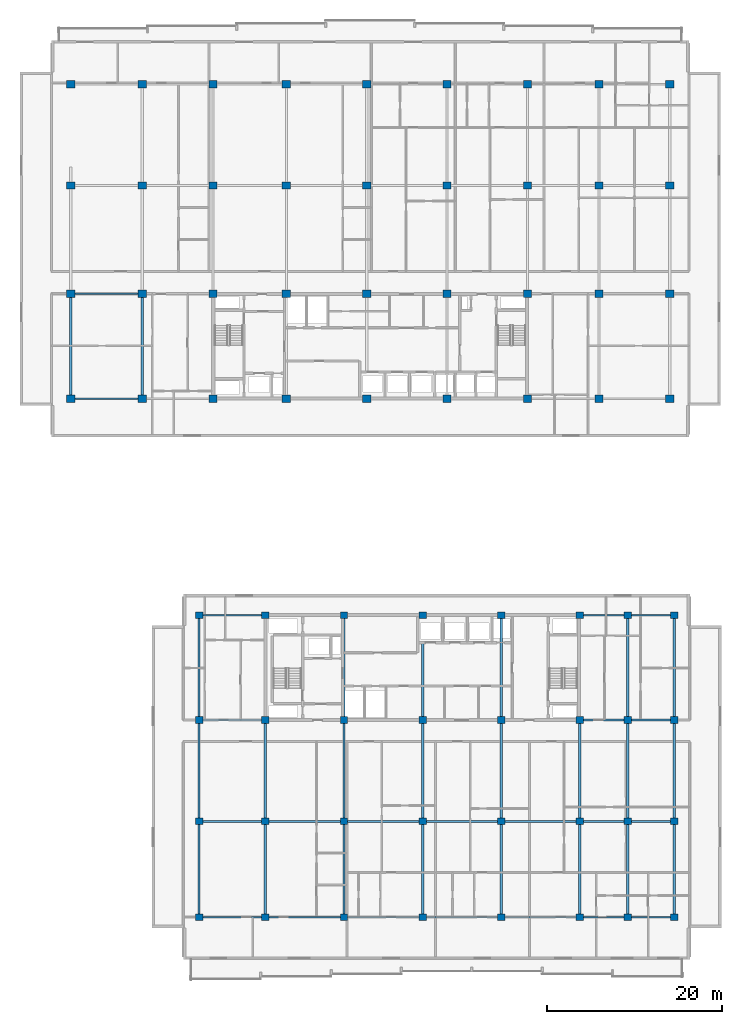
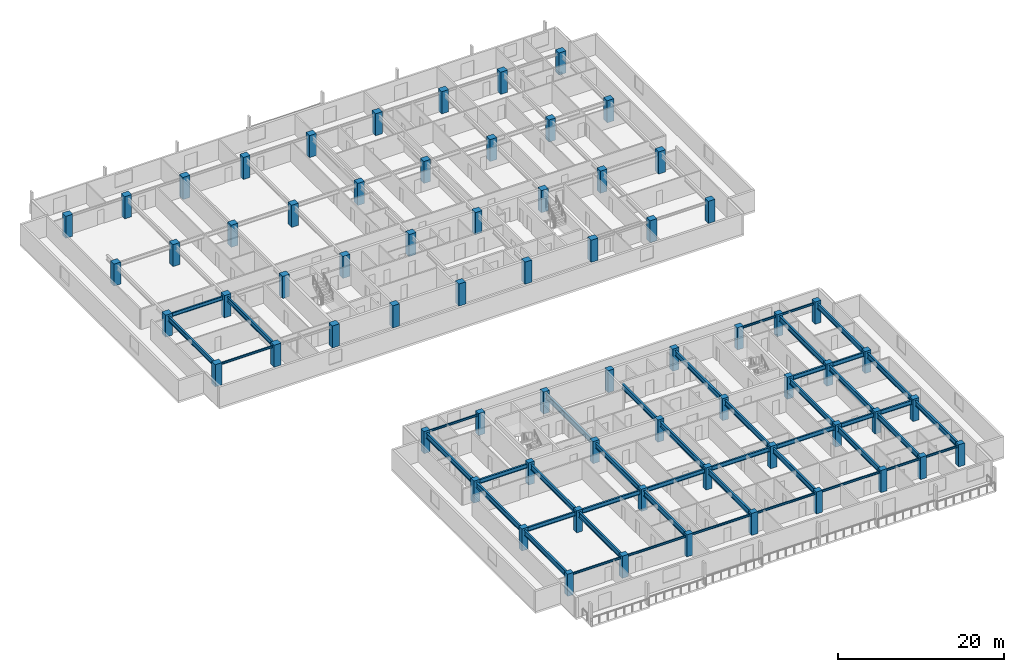
# One storey, part 1 of 21: 68 columns, 46 beams.
"""IFC4 building model written with IfcOpenShell, lengths in metres."""

from ifc_helpers import new_model, si_unit, direction, frame, origin, origin_2d, place, context, subcontext, project, spatial, rectangle, i_section, extrude, material, material_profile, profile_set, type_object, element, save


model = new_model("IFC4")

# Units and contexts
model_context = context("Model", 3, precision=1e-05, world=origin(), true_north=direction((0.0, 1.0)))
body_context = subcontext(model_context, "Body", "Model", "MODEL_VIEW")
ifc_project = project(units=[si_unit("LENGTHUNIT", "METRE"), si_unit("AREAUNIT", "SQUARE_METRE"), si_unit("VOLUMEUNIT", "CUBIC_METRE"), si_unit("PLANEANGLEUNIT", "RADIAN"), si_unit("MASSUNIT", "GRAM", prefix="KILO")], contexts=[model_context])

# Site, building, storey
site_placement = place(None, origin())
site = spatial("IfcSite", under=ifc_project, at=site_placement, CompositionType="ELEMENT")
building_placement = place(site_placement, origin())
building = spatial("IfcBuilding", under=site, at=building_placement, Name="Korimba Cascade Residences", CompositionType="ELEMENT")
storey_placement = place(building_placement, frame((0.0, 0.0, 103.550048828125)))
storey = spatial("IfcBuildingStorey", under=building, at=storey_placement, Name="L29", CompositionType="ELEMENT", Elevation=103.550048828125)

# Columns
ifc_material_1 = material(Name="Concrete C65/80", Category="concrete")
ifc_material_profile_1 = material_profile(ifc_material_1, rectangle(XDim=0.85009765625, YDim=0.75, at=origin_2d()), Name="Concrete C65/80")
ifc_profile_set_1 = profile_set([ifc_material_profile_1], Name="Concrete C65/80")
column_type_1 = type_object("IfcColumnType", Name="COL-RC-850", PredefinedType="COLUMN", material=ifc_profile_set_1)
for number, where, z_axis, x_axis, name in (
    (1, (74.5, -4.199951171875, 0.0), (0.0, 0.0, 1.0), (1.0, 0.0, 0.0), "L29 Tower 2 Column 1.1"),
    (2, (74.5, 6.800048828125, 0.0), (0.0, 0.0, 1.0), (1.0, 0.0, 0.0), "L29 Tower 2 Column 1.2"),
    (3, (74.5, 18.39990234375, 0.0), (0.0, 0.0, 1.0), (1.0, 0.0, 0.0), "L29 Tower 2 Column 1.3"),
    (4, (74.5, 30.39990234375, 0.0), (0.0, 0.0, 1.0), (1.0, 0.0, 0.0), "L29 Tower 2 Column 1.4"),
    (5, (82.10009765625, -4.199951171875, 0.0), (0.0, 0.0, 1.0), (1.0, 0.0, 0.0), "L29 Tower 2 Column 2.1"),
    (6, (82.10009765625, 6.800048828125, 0.0), (0.0, 0.0, 1.0), (1.0, 0.0, 0.0), "L29 Tower 2 Column 2.2"),
    (7, (82.10009765625, 18.39990234375, 0.0), (0.0, 0.0, 1.0), (1.0, 0.0, 0.0), "L29 Tower 2 Column 2.3"),
    (8, (82.10009765625, 30.39990234375, 0.0), (0.0, 0.0, 1.0), (1.0, 0.0, 0.0), "L29 Tower 2 Column 2.4"),
    (9, (91.10009765625, -4.199951171875, 0.0), (0.0, 0.0, 1.0), (1.0, 0.0, 0.0), "L29 Tower 2 Column 3.1"),
    (10, (91.10009765625, 6.800048828125, 0.0), (0.0, 0.0, 1.0), (1.0, 0.0, 0.0), "L29 Tower 2 Column 3.2"),
    (11, (91.10009765625, 18.39990234375, 0.0), (0.0, 0.0, 1.0), (1.0, 0.0, 0.0), "L29 Tower 2 Column 3.3"),
    (12, (91.10009765625, 30.39990234375, 0.0), (0.0, 0.0, 1.0), (1.0, 0.0, 0.0), "L29 Tower 2 Column 3.4"),
    (13, (100.10009765625, -4.199951171875, 0.0), (0.0, 0.0, 1.0), (1.0, 0.0, 0.0), "L29 Tower 2 Column 4.1"),
    (14, (100.10009765625, 6.800048828125, 0.0), (0.0, 0.0, 1.0), (1.0, 0.0, 0.0), "L29 Tower 2 Column 4.2"),
    (15, (100.10009765625, 18.39990234375, 0.0), (0.0, 0.0, 1.0), (1.0, 0.0, 0.0), "L29 Tower 2 Column 4.3"),
    (16, (100.10009765625, 30.39990234375, 0.0), (0.0, 0.0, 1.0), (1.0, 0.0, 0.0), "L29 Tower 2 Column 4.4"),
    (17, (109.10009765625, -4.199951171875, 0.0), (0.0, 0.0, 1.0), (1.0, 0.0, 0.0), "L29 Tower 2 Column 5.1"),
    (18, (109.10009765625, 6.800048828125, 0.0), (0.0, 0.0, 1.0), (1.0, 0.0, 0.0), "L29 Tower 2 Column 5.2"),
    (19, (109.10009765625, 18.39990234375, 0.0), (0.0, 0.0, 1.0), (1.0, 0.0, 0.0), "L29 Tower 2 Column 5.3"),
    (20, (109.10009765625, 30.39990234375, 0.0), (0.0, 0.0, 1.0), (1.0, 0.0, 0.0), "L29 Tower 2 Column 5.4"),
    (21, (118.10009765625, -4.199951171875, 0.0), (0.0, 0.0, 1.0), (1.0, 0.0, 0.0), "L29 Tower 2 Column 6.1"),
    (22, (118.10009765625, 6.800048828125, 0.0), (0.0, 0.0, 1.0), (1.0, 0.0, 0.0), "L29 Tower 2 Column 6.2"),
    (23, (118.10009765625, 18.39990234375, 0.0), (0.0, 0.0, 1.0), (1.0, 0.0, 0.0), "L29 Tower 2 Column 6.3"),
    (24, (118.10009765625, 30.39990234375, 0.0), (0.0, 0.0, 1.0), (1.0, 0.0, 0.0), "L29 Tower 2 Column 6.4"),
    (25, (123.60009765625, -4.199951171875, 0.0), (0.0, 0.0, 1.0), (1.0, 0.0, 0.0), "L29 Tower 2 Column 7.1"),
    (26, (123.60009765625, 6.800048828125, 0.0), (0.0, 0.0, 1.0), (1.0, 0.0, 0.0), "L29 Tower 2 Column 7.2"),
    (27, (123.60009765625, 18.39990234375, 0.0), (0.0, 0.0, 1.0), (1.0, 0.0, 0.0), "L29 Tower 2 Column 7.3"),
    (28, (123.60009765625, 30.39990234375, 0.0), (0.0, 0.0, 1.0), (1.0, 0.0, 0.0), "L29 Tower 2 Column 7.4"),
    (29, (128.89990234375, -4.199951171875, 0.0), (0.0, 0.0, 1.0), (1.0, 0.0, 0.0), "L29 Tower 2 Column 8.1"),
    (30, (128.89990234375, 6.800048828125, 0.0), (0.0, 0.0, 1.0), (1.0, 0.0, 0.0), "L29 Tower 2 Column 8.2"),
    (31, (128.89990234375, 18.39990234375, 0.0), (0.0, 0.0, 1.0), (1.0, 0.0, 0.0), "L29 Tower 2 Column 8.3"),
    (32, (128.89990234375, 30.39990234375, 0.0), (0.0, 0.0, 1.0), (1.0, 0.0, 0.0), "L29 Tower 2 Column 8.4"),
):
    element("IfcColumn", number, at=place(storey_placement, frame(where, z_axis=z_axis, x_axis=x_axis)), inside=storey, type_object=column_type_1, Name=name, PredefinedType="COLUMN", context=body_context, shape_type="SweptSolid", body=[
        extrude(rectangle(XDim=0.85009765625, YDim=0.75, at=origin_2d()), origin(), (0.0, 0.0, 1.0), 3.25),
    ])
ifc_material_profile_2 = material_profile(ifc_material_1, rectangle(XDim=0.949951171875, YDim=0.85009765625, at=origin_2d()), Name="Concrete C65/80")
ifc_profile_set_2 = profile_set([ifc_material_profile_2], Name="Concrete C65/80")
column_type_2 = type_object("IfcColumnType", Name="COL-RC-950", PredefinedType="COLUMN", material=ifc_profile_set_2)
for number, where, z_axis, x_axis, name in (
    (33, (59.800048828125, 55.199951171875, 0.0), (0.0, 0.0, 1.0), (1.0, 0.0, 0.0), "L29 Tower 1 Column 1.1"),
    (34, (59.800048828125, 67.199951171875, 0.0), (0.0, 0.0, 1.0), (1.0, 0.0, 0.0), "L29 Tower 1 Column 1.2"),
    (35, (59.800048828125, 79.60009765625, 0.0), (0.0, 0.0, 1.0), (1.0, 0.0, 0.0), "L29 Tower 1 Column 1.3"),
    (36, (59.800048828125, 91.199951171875, 0.0), (0.0, 0.0, 1.0), (1.0, 0.0, 0.0), "L29 Tower 1 Column 1.4"),
    (37, (68.0, 55.199951171875, 0.0), (0.0, 0.0, 1.0), (1.0, 0.0, 0.0), "L29 Tower 1 Column 2.1"),
    (38, (68.0, 67.199951171875, 0.0), (0.0, 0.0, 1.0), (1.0, 0.0, 0.0), "L29 Tower 1 Column 2.2"),
    (39, (68.0, 79.60009765625, 0.0), (0.0, 0.0, 1.0), (1.0, 0.0, 0.0), "L29 Tower 1 Column 2.3"),
    (40, (68.0, 91.199951171875, 0.0), (0.0, 0.0, 1.0), (1.0, 0.0, 0.0), "L29 Tower 1 Column 2.4"),
    (41, (76.10009765625, 55.199951171875, 0.0), (0.0, 0.0, 1.0), (1.0, 0.0, 0.0), "L29 Tower 1 Column 3.1"),
    (42, (76.10009765625, 67.199951171875, 0.0), (0.0, 0.0, 1.0), (1.0, 0.0, 0.0), "L29 Tower 1 Column 3.2"),
    (43, (76.10009765625, 79.60009765625, 0.0), (0.0, 0.0, 1.0), (1.0, 0.0, 0.0), "L29 Tower 1 Column 3.3"),
    (44, (76.10009765625, 91.199951171875, 0.0), (0.0, 0.0, 1.0), (1.0, 0.0, 0.0), "L29 Tower 1 Column 3.4"),
    (45, (84.5, 55.199951171875, 0.0), (0.0, 0.0, 1.0), (1.0, 0.0, 0.0), "L29 Tower 1 Column 4.1"),
    (46, (84.5, 67.199951171875, 0.0), (0.0, 0.0, 1.0), (1.0, 0.0, 0.0), "L29 Tower 1 Column 4.2"),
    (47, (84.5, 79.60009765625, 0.0), (0.0, 0.0, 1.0), (1.0, 0.0, 0.0), "L29 Tower 1 Column 4.3"),
    (48, (84.5, 91.199951171875, 0.0), (0.0, 0.0, 1.0), (1.0, 0.0, 0.0), "L29 Tower 1 Column 4.4"),
    (49, (93.699951171875, 55.199951171875, 0.0), (0.0, 0.0, 1.0), (1.0, 0.0, 0.0), "L29 Tower 1 Column 5.1"),
    (50, (93.699951171875, 67.199951171875, 0.0), (0.0, 0.0, 1.0), (1.0, 0.0, 0.0), "L29 Tower 1 Column 5.2"),
    (51, (93.699951171875, 79.60009765625, 0.0), (0.0, 0.0, 1.0), (1.0, 0.0, 0.0), "L29 Tower 1 Column 5.3"),
    (52, (93.699951171875, 91.199951171875, 0.0), (0.0, 0.0, 1.0), (1.0, 0.0, 0.0), "L29 Tower 1 Column 5.4"),
    (53, (102.89990234375, 55.199951171875, 0.0), (0.0, 0.0, 1.0), (1.0, 0.0, 0.0), "L29 Tower 1 Column 6.1"),
    (54, (102.89990234375, 67.199951171875, 0.0), (0.0, 0.0, 1.0), (1.0, 0.0, 0.0), "L29 Tower 1 Column 6.2"),
    (55, (102.89990234375, 79.60009765625, 0.0), (0.0, 0.0, 1.0), (1.0, 0.0, 0.0), "L29 Tower 1 Column 6.3"),
    (56, (102.89990234375, 91.199951171875, 0.0), (0.0, 0.0, 1.0), (1.0, 0.0, 0.0), "L29 Tower 1 Column 6.4"),
    (57, (112.10009765625, 55.199951171875, 0.0), (0.0, 0.0, 1.0), (1.0, 0.0, 0.0), "L29 Tower 1 Column 7.1"),
    (58, (112.10009765625, 67.199951171875, 0.0), (0.0, 0.0, 1.0), (1.0, 0.0, 0.0), "L29 Tower 1 Column 7.2"),
    (59, (112.10009765625, 79.60009765625, 0.0), (0.0, 0.0, 1.0), (1.0, 0.0, 0.0), "L29 Tower 1 Column 7.3"),
    (60, (112.10009765625, 91.199951171875, 0.0), (0.0, 0.0, 1.0), (1.0, 0.0, 0.0), "L29 Tower 1 Column 7.4"),
    (61, (120.300048828125, 55.199951171875, 0.0), (0.0, 0.0, 1.0), (1.0, 0.0, 0.0), "L29 Tower 1 Column 8.1"),
    (62, (120.300048828125, 67.199951171875, 0.0), (0.0, 0.0, 1.0), (1.0, 0.0, 0.0), "L29 Tower 1 Column 8.2"),
    (63, (120.300048828125, 79.60009765625, 0.0), (0.0, 0.0, 1.0), (1.0, 0.0, 0.0), "L29 Tower 1 Column 8.3"),
    (64, (120.300048828125, 91.199951171875, 0.0), (0.0, 0.0, 1.0), (1.0, 0.0, 0.0), "L29 Tower 1 Column 8.4"),
    (65, (128.39990234375, 55.199951171875, 0.0), (0.0, 0.0, 1.0), (1.0, 0.0, 0.0), "L29 Tower 1 Column 9.1"),
    (66, (128.39990234375, 67.199951171875, 0.0), (0.0, 0.0, 1.0), (1.0, 0.0, 0.0), "L29 Tower 1 Column 9.2"),
    (67, (128.39990234375, 79.60009765625, 0.0), (0.0, 0.0, 1.0), (1.0, 0.0, 0.0), "L29 Tower 1 Column 9.3"),
    (68, (128.39990234375, 91.199951171875, 0.0), (0.0, 0.0, 1.0), (1.0, 0.0, 0.0), "L29 Tower 1 Column 9.4"),
):
    element("IfcColumn", number, at=place(storey_placement, frame(where, z_axis=z_axis, x_axis=x_axis)), inside=storey, type_object=column_type_2, Name=name, PredefinedType="COLUMN", context=body_context, shape_type="SweptSolid", body=[
        extrude(rectangle(XDim=0.949951171875, YDim=0.85009765625, at=origin_2d()), origin(), (0.0, 0.0, 1.0), 3.25),
    ])

# Beams
ifc_material_2 = material(Name="Steel S355", Category="steel")
ifc_material_profile_3 = material_profile(ifc_material_2, i_section(OverallWidth=0.165771484375, OverallDepth=0.306640625, WebThickness=0.006591796875, FlangeThickness=0.01171875, FilletRadius=0.0087890625, at=origin_2d()), Name="Steel S355")
ifc_profile_set_3 = profile_set([ifc_material_profile_3], Name="Steel S355")
beam_type_1 = type_object("IfcBeamType", Name="BM-STL-UB305", PredefinedType="SPANDREL", material=ifc_profile_set_3)
beam_1_placement = place(storey_placement, frame((60.27490234375, 55.199951171875, 2.816650390625), z_axis=(1.0, 0.0, 0.0), x_axis=(0.0, 1.0, 0.0)))
element("IfcBeam", 69, at=beam_1_placement, inside=storey, type_object=beam_type_1, Name="L29 T1 E-W Girder Y1 Bay 1", PredefinedType="SPANDREL", context=body_context, shape_type="SweptSolid", body=[
    extrude(i_section(OverallWidth=0.165771484375, OverallDepth=0.306640625, WebThickness=0.006591796875, FlangeThickness=0.01171875, FilletRadius=0.0087890625, at=origin_2d()), origin(), (0.0, 0.0, 1.0), 7.25),
])
beam_2_placement = place(storey_placement, frame((74.925048828125, -4.199951171875, 2.816650390625), z_axis=(1.0, 0.0, 0.0), x_axis=(0.0, 1.0, 0.0)))
element("IfcBeam", 70, at=beam_2_placement, inside=storey, type_object=beam_type_1, Name="L29 T2 E-W Girder Y1 Bay 1", PredefinedType="SPANDREL", context=body_context, shape_type="SweptSolid", body=[
    extrude(i_section(OverallWidth=0.165771484375, OverallDepth=0.306640625, WebThickness=0.006591796875, FlangeThickness=0.01171875, FilletRadius=0.0087890625, at=origin_2d()), origin(), (0.0, 0.0, 1.0), 6.75),
])
for number, where, z_axis, x_axis, name in (
    (71, (82.52490234375, -4.199951171875, 2.816650390625), (1.0, 0.0, 0.0), (0.0, 1.0, 0.0), "L29 T2 E-W Girder Y1 Bay 2"),
    (72, (91.52490234375, -4.199951171875, 2.816650390625), (1.0, 0.0, 0.0), (0.0, 1.0, 0.0), "L29 T2 E-W Girder Y1 Bay 3"),
    (73, (100.52490234375, -4.199951171875, 2.816650390625), (1.0, 0.0, 0.0), (0.0, 1.0, 0.0), "L29 T2 E-W Girder Y1 Bay 4"),
    (74, (109.52490234375, -4.199951171875, 2.816650390625), (1.0, 0.0, 0.0), (0.0, 1.0, 0.0), "L29 T2 E-W Girder Y1 Bay 5"),
):
    element("IfcBeam", number, at=place(storey_placement, frame(where, z_axis=z_axis, x_axis=x_axis)), inside=storey, type_object=beam_type_1, Name=name, PredefinedType="SPANDREL", context=body_context, shape_type="SweptSolid", body=[
        extrude(i_section(OverallWidth=0.165771484375, OverallDepth=0.306640625, WebThickness=0.006591796875, FlangeThickness=0.01171875, FilletRadius=0.0087890625, at=origin_2d()), origin(), (0.0, 0.0, 1.0), 8.150146484375),
    ])
beam_3_placement = place(storey_placement, frame((118.52490234375, -4.199951171875, 2.816650390625), z_axis=(1.0, 0.0, 0.0), x_axis=(0.0, 1.0, 0.0)))
element("IfcBeam", 75, at=beam_3_placement, inside=storey, type_object=beam_type_1, Name="L29 T2 E-W Girder Y1 Bay 6", PredefinedType="SPANDREL", context=body_context, shape_type="SweptSolid", body=[
    extrude(i_section(OverallWidth=0.165771484375, OverallDepth=0.306640625, WebThickness=0.006591796875, FlangeThickness=0.01171875, FilletRadius=0.0087890625, at=origin_2d()), origin(), (0.0, 0.0, 1.0), 4.650146484375),
])
beam_4_placement = place(storey_placement, frame((124.02490234375, -4.199951171875, 2.816650390625), z_axis=(1.0, 0.0, 0.0), x_axis=(0.0, 1.0, 0.0)))
element("IfcBeam", 76, at=beam_4_placement, inside=storey, type_object=beam_type_1, Name="L29 T2 E-W Girder Y1 Bay 7", PredefinedType="SPANDREL", context=body_context, shape_type="SweptSolid", body=[
    extrude(i_section(OverallWidth=0.165771484375, OverallDepth=0.306640625, WebThickness=0.006591796875, FlangeThickness=0.01171875, FilletRadius=0.0087890625, at=origin_2d()), origin(), (0.0, 0.0, 1.0), 4.4501953125),
])
beam_5_placement = place(storey_placement, frame((74.925048828125, 30.39990234375, 2.816650390625), z_axis=(1.0, 0.0, 0.0), x_axis=(0.0, 1.0, 0.0)))
element("IfcBeam", 77, at=beam_5_placement, inside=storey, type_object=beam_type_1, Name="L29 T2 E-W Girder Y4 Bay 1", PredefinedType="SPANDREL", context=body_context, shape_type="SweptSolid", body=[
    extrude(i_section(OverallWidth=0.165771484375, OverallDepth=0.306640625, WebThickness=0.006591796875, FlangeThickness=0.01171875, FilletRadius=0.0087890625, at=origin_2d()), origin(), (0.0, 0.0, 1.0), 6.75),
])
beam_6_placement = place(storey_placement, frame((118.52490234375, 30.39990234375, 2.816650390625), z_axis=(1.0, 0.0, 0.0), x_axis=(0.0, 1.0, 0.0)))
element("IfcBeam", 78, at=beam_6_placement, inside=storey, type_object=beam_type_1, Name="L29 T2 E-W Girder Y4 Bay 6", PredefinedType="SPANDREL", context=body_context, shape_type="SweptSolid", body=[
    extrude(i_section(OverallWidth=0.165771484375, OverallDepth=0.306640625, WebThickness=0.006591796875, FlangeThickness=0.01171875, FilletRadius=0.0087890625, at=origin_2d()), origin(), (0.0, 0.0, 1.0), 4.650146484375),
])
beam_7_placement = place(storey_placement, frame((124.02490234375, 30.39990234375, 2.816650390625), z_axis=(1.0, 0.0, 0.0), x_axis=(0.0, 1.0, 0.0)))
element("IfcBeam", 79, at=beam_7_placement, inside=storey, type_object=beam_type_1, Name="L29 T2 E-W Girder Y4 Bay 7", PredefinedType="SPANDREL", context=body_context, shape_type="SweptSolid", body=[
    extrude(i_section(OverallWidth=0.165771484375, OverallDepth=0.306640625, WebThickness=0.006591796875, FlangeThickness=0.01171875, FilletRadius=0.0087890625, at=origin_2d()), origin(), (0.0, 0.0, 1.0), 4.4501953125),
])
ifc_material_profile_4 = material_profile(ifc_material_2, i_section(OverallWidth=0.2099609375, OverallDepth=0.53662109375, WebThickness=0.0107421875, FlangeThickness=0.017333984375, FilletRadius=0.0126953125, at=origin_2d()), Name="Steel S355")
ifc_profile_set_4 = profile_set([ifc_material_profile_4], Name="Steel S355")
beam_type_2 = type_object("IfcBeamType", Name="BM-STL-UB533", PredefinedType="BEAM", material=ifc_profile_set_4)
beam_8_placement = place(storey_placement, frame((60.27490234375, 67.199951171875, 2.70166015625), z_axis=(1.0, 0.0, 0.0), x_axis=(0.0, 1.0, 0.0)))
element("IfcBeam", 80, at=beam_8_placement, inside=storey, type_object=beam_type_2, Name="L29 T1 E-W Girder Y2 Bay 1", PredefinedType="BEAM", context=body_context, shape_type="SweptSolid", body=[
    extrude(i_section(OverallWidth=0.2099609375, OverallDepth=0.53662109375, WebThickness=0.0107421875, FlangeThickness=0.017333984375, FilletRadius=0.0126953125, at=origin_2d()), origin(), (0.0, 0.0, 1.0), 7.25),
])
ifc_material_profile_5 = material_profile(ifc_material_2, i_section(OverallWidth=0.22900390625, OverallDepth=0.6123046875, WebThickness=0.011962890625, FlangeThickness=0.01953125, FilletRadius=0.0126953125, at=origin_2d()), Name="Steel S355")
ifc_profile_set_5 = profile_set([ifc_material_profile_5], Name="Steel S355")
beam_type_3 = type_object("IfcBeamType", Name="BM-STL-UB610B", PredefinedType="BEAM", material=ifc_profile_set_5)
beam_9_placement = place(storey_placement, frame((74.925048828125, 6.800048828125, 2.663818359375), z_axis=(1.0, 0.0, 0.0), x_axis=(0.0, 1.0, 0.0)))
element("IfcBeam", 81, at=beam_9_placement, inside=storey, type_object=beam_type_3, Name="L29 T2 E-W Girder Y2 Bay 1", PredefinedType="BEAM", context=body_context, shape_type="SweptSolid", body=[
    extrude(i_section(OverallWidth=0.22900390625, OverallDepth=0.6123046875, WebThickness=0.011962890625, FlangeThickness=0.01953125, FilletRadius=0.0126953125, at=origin_2d()), origin(), (0.0, 0.0, 1.0), 6.75),
])
for number, where, z_axis, x_axis, name in (
    (82, (82.52490234375, 6.800048828125, 2.663818359375), (1.0, 0.0, 0.0), (0.0, 1.0, 0.0), "L29 T2 E-W Girder Y2 Bay 2"),
    (83, (91.52490234375, 6.800048828125, 2.663818359375), (1.0, 0.0, 0.0), (0.0, 1.0, 0.0), "L29 T2 E-W Girder Y2 Bay 3"),
    (84, (100.52490234375, 6.800048828125, 2.663818359375), (1.0, 0.0, 0.0), (0.0, 1.0, 0.0), "L29 T2 E-W Girder Y2 Bay 4"),
    (85, (109.52490234375, 6.800048828125, 2.663818359375), (1.0, 0.0, 0.0), (0.0, 1.0, 0.0), "L29 T2 E-W Girder Y2 Bay 5"),
):
    element("IfcBeam", number, at=place(storey_placement, frame(where, z_axis=z_axis, x_axis=x_axis)), inside=storey, type_object=beam_type_3, Name=name, PredefinedType="BEAM", context=body_context, shape_type="SweptSolid", body=[
        extrude(i_section(OverallWidth=0.22900390625, OverallDepth=0.6123046875, WebThickness=0.011962890625, FlangeThickness=0.01953125, FilletRadius=0.0126953125, at=origin_2d()), origin(), (0.0, 0.0, 1.0), 8.150146484375),
    ])
beam_10_placement = place(storey_placement, frame((118.52490234375, 6.800048828125, 2.663818359375), z_axis=(1.0, 0.0, 0.0), x_axis=(0.0, 1.0, 0.0)))
element("IfcBeam", 86, at=beam_10_placement, inside=storey, type_object=beam_type_3, Name="L29 T2 E-W Girder Y2 Bay 6", PredefinedType="BEAM", context=body_context, shape_type="SweptSolid", body=[
    extrude(i_section(OverallWidth=0.22900390625, OverallDepth=0.6123046875, WebThickness=0.011962890625, FlangeThickness=0.01953125, FilletRadius=0.0126953125, at=origin_2d()), origin(), (0.0, 0.0, 1.0), 4.650146484375),
])
beam_11_placement = place(storey_placement, frame((124.02490234375, 6.800048828125, 2.663818359375), z_axis=(1.0, 0.0, 0.0), x_axis=(0.0, 1.0, 0.0)))
element("IfcBeam", 87, at=beam_11_placement, inside=storey, type_object=beam_type_3, Name="L29 T2 E-W Girder Y2 Bay 7", PredefinedType="BEAM", context=body_context, shape_type="SweptSolid", body=[
    extrude(i_section(OverallWidth=0.22900390625, OverallDepth=0.6123046875, WebThickness=0.011962890625, FlangeThickness=0.01953125, FilletRadius=0.0126953125, at=origin_2d()), origin(), (0.0, 0.0, 1.0), 4.4501953125),
])
beam_12_placement = place(storey_placement, frame((74.925048828125, 18.39990234375, 2.663818359375), z_axis=(1.0, 0.0, 0.0), x_axis=(0.0, 1.0, 0.0)))
element("IfcBeam", 88, at=beam_12_placement, inside=storey, type_object=beam_type_3, Name="L29 T2 E-W Girder Y3 Bay 1", PredefinedType="BEAM", context=body_context, shape_type="SweptSolid", body=[
    extrude(i_section(OverallWidth=0.22900390625, OverallDepth=0.6123046875, WebThickness=0.011962890625, FlangeThickness=0.01953125, FilletRadius=0.0126953125, at=origin_2d()), origin(), (0.0, 0.0, 1.0), 6.75),
])
beam_13_placement = place(storey_placement, frame((118.52490234375, 18.39990234375, 2.663818359375), z_axis=(1.0, 0.0, 0.0), x_axis=(0.0, 1.0, 0.0)))
element("IfcBeam", 89, at=beam_13_placement, inside=storey, type_object=beam_type_3, Name="L29 T2 E-W Girder Y3 Bay 6", PredefinedType="BEAM", context=body_context, shape_type="SweptSolid", body=[
    extrude(i_section(OverallWidth=0.22900390625, OverallDepth=0.6123046875, WebThickness=0.011962890625, FlangeThickness=0.01953125, FilletRadius=0.0126953125, at=origin_2d()), origin(), (0.0, 0.0, 1.0), 4.650146484375),
])
beam_14_placement = place(storey_placement, frame((124.02490234375, 18.39990234375, 2.663818359375), z_axis=(1.0, 0.0, 0.0), x_axis=(0.0, 1.0, 0.0)))
element("IfcBeam", 90, at=beam_14_placement, inside=storey, type_object=beam_type_3, Name="L29 T2 E-W Girder Y3 Bay 7", PredefinedType="BEAM", context=body_context, shape_type="SweptSolid", body=[
    extrude(i_section(OverallWidth=0.22900390625, OverallDepth=0.6123046875, WebThickness=0.011962890625, FlangeThickness=0.01953125, FilletRadius=0.0126953125, at=origin_2d()), origin(), (0.0, 0.0, 1.0), 4.4501953125),
])
ifc_material_profile_6 = material_profile(ifc_material_2, i_section(OverallWidth=0.255859375, OverallDepth=0.69287109375, WebThickness=0.014404296875, FlangeThickness=0.023681640625, FilletRadius=0.01513671875, at=origin_2d()), Name="Steel S355")
ifc_profile_set_6 = profile_set([ifc_material_profile_6], Name="Steel S355")
beam_type_4 = type_object("IfcBeamType", Name="BM-STL-UB686", PredefinedType="BEAM", material=ifc_profile_set_6)
for number, where, z_axis, x_axis, name in (
    (91, (59.800048828125, 55.625, 2.62353515625), (0.0, 1.0, 0.0), (-1.0, 0.0, 0.0), "L29 T1 N-S Girder X1 Seg 1"),
    (92, (68.0, 55.625, 2.62353515625), (0.0, 1.0, 0.0), (-1.0, 0.0, 0.0), "L29 T1 N-S Girder X2 Seg 1"),
):
    element("IfcBeam", number, at=place(storey_placement, frame(where, z_axis=z_axis, x_axis=x_axis)), inside=storey, type_object=beam_type_4, Name=name, PredefinedType="BEAM", context=body_context, shape_type="SweptSolid", body=[
        extrude(i_section(OverallWidth=0.255859375, OverallDepth=0.69287109375, WebThickness=0.014404296875, FlangeThickness=0.023681640625, FilletRadius=0.01513671875, at=origin_2d()), origin(), (0.0, 0.0, 1.0), 11.14990234375),
    ])
ifc_material_profile_7 = material_profile(ifc_material_2, i_section(OverallWidth=0.26806640625, OverallDepth=0.769775390625, WebThickness=0.015625, FlangeThickness=0.025390625, FilletRadius=0.0166015625, at=origin_2d()), Name="Steel S355")
ifc_profile_set_7 = profile_set([ifc_material_profile_7], Name="Steel S355")
beam_type_5 = type_object("IfcBeamType", Name="BM-STL-UB762", PredefinedType="BEAM", material=ifc_profile_set_7)
beam_15_placement = place(storey_placement, frame((74.5, -3.824951171875, 2.5849609375), z_axis=(0.0, 1.0, 0.0), x_axis=(-1.0, 0.0, 0.0)))
element("IfcBeam", 93, at=beam_15_placement, inside=storey, type_object=beam_type_5, Name="L29 T2 N-S Girder X1 Seg 1", PredefinedType="BEAM", context=body_context, shape_type="SweptSolid", body=[
    extrude(i_section(OverallWidth=0.26806640625, OverallDepth=0.769775390625, WebThickness=0.015625, FlangeThickness=0.025390625, FilletRadius=0.0166015625, at=origin_2d()), origin(), (0.0, 0.0, 1.0), 10.25),
])
beam_16_placement = place(storey_placement, frame((74.5, 7.175048828125, 2.5849609375), z_axis=(0.0, 1.0, 0.0), x_axis=(-1.0, 0.0, 0.0)))
element("IfcBeam", 94, at=beam_16_placement, inside=storey, type_object=beam_type_5, Name="L29 T2 N-S Girder X1 Seg 2", PredefinedType="BEAM", context=body_context, shape_type="SweptSolid", body=[
    extrude(i_section(OverallWidth=0.26806640625, OverallDepth=0.769775390625, WebThickness=0.015625, FlangeThickness=0.025390625, FilletRadius=0.0166015625, at=origin_2d()), origin(), (0.0, 0.0, 1.0), 10.849853515625),
])
beam_17_placement = place(storey_placement, frame((74.5, 18.77490234375, 2.5849609375), z_axis=(0.0, 1.0, 0.0), x_axis=(-1.0, 0.0, 0.0)))
element("IfcBeam", 95, at=beam_17_placement, inside=storey, type_object=beam_type_5, Name="L29 T2 N-S Girder X1 Seg 3", PredefinedType="BEAM", context=body_context, shape_type="SweptSolid", body=[
    extrude(i_section(OverallWidth=0.26806640625, OverallDepth=0.769775390625, WebThickness=0.015625, FlangeThickness=0.025390625, FilletRadius=0.0166015625, at=origin_2d()), origin(), (0.0, 0.0, 1.0), 11.25),
])
beam_18_placement = place(storey_placement, frame((82.10009765625, -3.824951171875, 2.5849609375), z_axis=(0.0, 1.0, 0.0), x_axis=(-1.0, 0.0, 0.0)))
element("IfcBeam", 96, at=beam_18_placement, inside=storey, type_object=beam_type_5, Name="L29 T2 N-S Girder X2 Seg 1", PredefinedType="BEAM", context=body_context, shape_type="SweptSolid", body=[
    extrude(i_section(OverallWidth=0.26806640625, OverallDepth=0.769775390625, WebThickness=0.015625, FlangeThickness=0.025390625, FilletRadius=0.0166015625, at=origin_2d()), origin(), (0.0, 0.0, 1.0), 10.25),
])
beam_19_placement = place(storey_placement, frame((82.10009765625, 7.175048828125, 2.5849609375), z_axis=(0.0, 1.0, 0.0), x_axis=(-1.0, 0.0, 0.0)))
element("IfcBeam", 97, at=beam_19_placement, inside=storey, type_object=beam_type_5, Name="L29 T2 N-S Girder X2 Seg 2", PredefinedType="BEAM", context=body_context, shape_type="SweptSolid", body=[
    extrude(i_section(OverallWidth=0.26806640625, OverallDepth=0.769775390625, WebThickness=0.015625, FlangeThickness=0.025390625, FilletRadius=0.0166015625, at=origin_2d()), origin(), (0.0, 0.0, 1.0), 10.849853515625),
])
beam_20_placement = place(storey_placement, frame((91.10009765625, -3.824951171875, 2.5849609375), z_axis=(0.0, 1.0, 0.0), x_axis=(-1.0, 0.0, 0.0)))
element("IfcBeam", 98, at=beam_20_placement, inside=storey, type_object=beam_type_5, Name="L29 T2 N-S Girder X3 Seg 1", PredefinedType="BEAM", context=body_context, shape_type="SweptSolid", body=[
    extrude(i_section(OverallWidth=0.26806640625, OverallDepth=0.769775390625, WebThickness=0.015625, FlangeThickness=0.025390625, FilletRadius=0.0166015625, at=origin_2d()), origin(), (0.0, 0.0, 1.0), 10.25),
])
beam_21_placement = place(storey_placement, frame((91.10009765625, 7.175048828125, 2.5849609375), z_axis=(0.0, 1.0, 0.0), x_axis=(-1.0, 0.0, 0.0)))
element("IfcBeam", 99, at=beam_21_placement, inside=storey, type_object=beam_type_5, Name="L29 T2 N-S Girder X3 Seg 2", PredefinedType="BEAM", context=body_context, shape_type="SweptSolid", body=[
    extrude(i_section(OverallWidth=0.26806640625, OverallDepth=0.769775390625, WebThickness=0.015625, FlangeThickness=0.025390625, FilletRadius=0.0166015625, at=origin_2d()), origin(), (0.0, 0.0, 1.0), 10.849853515625),
])
beam_22_placement = place(storey_placement, frame((91.10009765625, 18.77490234375, 2.5849609375), z_axis=(0.0, 1.0, 0.0), x_axis=(-1.0, 0.0, 0.0)))
element("IfcBeam", 100, at=beam_22_placement, inside=storey, type_object=beam_type_5, Name="L29 T2 N-S Girder X3 Seg 3", PredefinedType="BEAM", context=body_context, shape_type="SweptSolid", body=[
    extrude(i_section(OverallWidth=0.26806640625, OverallDepth=0.769775390625, WebThickness=0.015625, FlangeThickness=0.025390625, FilletRadius=0.0166015625, at=origin_2d()), origin(), (0.0, 0.0, 1.0), 11.25),
])
beam_23_placement = place(storey_placement, frame((100.10009765625, -3.824951171875, 2.5849609375), z_axis=(0.0, 1.0, 0.0), x_axis=(-1.0, 0.0, 0.0)))
element("IfcBeam", 101, at=beam_23_placement, inside=storey, type_object=beam_type_5, Name="L29 T2 N-S Girder X4 Seg 1", PredefinedType="BEAM", context=body_context, shape_type="SweptSolid", body=[
    extrude(i_section(OverallWidth=0.26806640625, OverallDepth=0.769775390625, WebThickness=0.015625, FlangeThickness=0.025390625, FilletRadius=0.0166015625, at=origin_2d()), origin(), (0.0, 0.0, 1.0), 10.25),
])
beam_24_placement = place(storey_placement, frame((100.10009765625, 7.175048828125, 2.5849609375), z_axis=(0.0, 1.0, 0.0), x_axis=(-1.0, 0.0, 0.0)))
element("IfcBeam", 102, at=beam_24_placement, inside=storey, type_object=beam_type_5, Name="L29 T2 N-S Girder X4 Seg 2", PredefinedType="BEAM", context=body_context, shape_type="SweptSolid", body=[
    extrude(i_section(OverallWidth=0.26806640625, OverallDepth=0.769775390625, WebThickness=0.015625, FlangeThickness=0.025390625, FilletRadius=0.0166015625, at=origin_2d()), origin(), (0.0, 0.0, 1.0), 10.849853515625),
])
beam_25_placement = place(storey_placement, frame((100.10009765625, 18.77490234375, 2.5849609375), z_axis=(0.0, 1.0, 0.0), x_axis=(-1.0, 0.0, 0.0)))
element("IfcBeam", 103, at=beam_25_placement, inside=storey, type_object=beam_type_5, Name="L29 T2 N-S Girder X4 Seg 3", PredefinedType="BEAM", context=body_context, shape_type="SweptSolid", body=[
    extrude(i_section(OverallWidth=0.26806640625, OverallDepth=0.769775390625, WebThickness=0.015625, FlangeThickness=0.025390625, FilletRadius=0.0166015625, at=origin_2d()), origin(), (0.0, 0.0, 1.0), 8.565185546875),
])
beam_26_placement = place(storey_placement, frame((109.10009765625, -3.824951171875, 2.5849609375), z_axis=(0.0, 1.0, 0.0), x_axis=(-1.0, 0.0, 0.0)))
element("IfcBeam", 104, at=beam_26_placement, inside=storey, type_object=beam_type_5, Name="L29 T2 N-S Girder X5 Seg 1", PredefinedType="BEAM", context=body_context, shape_type="SweptSolid", body=[
    extrude(i_section(OverallWidth=0.26806640625, OverallDepth=0.769775390625, WebThickness=0.015625, FlangeThickness=0.025390625, FilletRadius=0.0166015625, at=origin_2d()), origin(), (0.0, 0.0, 1.0), 10.25),
])
beam_27_placement = place(storey_placement, frame((109.10009765625, 7.175048828125, 2.5849609375), z_axis=(0.0, 1.0, 0.0), x_axis=(-1.0, 0.0, 0.0)))
element("IfcBeam", 105, at=beam_27_placement, inside=storey, type_object=beam_type_5, Name="L29 T2 N-S Girder X5 Seg 2", PredefinedType="BEAM", context=body_context, shape_type="SweptSolid", body=[
    extrude(i_section(OverallWidth=0.26806640625, OverallDepth=0.769775390625, WebThickness=0.015625, FlangeThickness=0.025390625, FilletRadius=0.0166015625, at=origin_2d()), origin(), (0.0, 0.0, 1.0), 10.849853515625),
])
beam_28_placement = place(storey_placement, frame((109.10009765625, 18.77490234375, 2.5849609375), z_axis=(0.0, 1.0, 0.0), x_axis=(-1.0, 0.0, 0.0)))
element("IfcBeam", 106, at=beam_28_placement, inside=storey, type_object=beam_type_5, Name="L29 T2 N-S Girder X5 Seg 3", PredefinedType="BEAM", context=body_context, shape_type="SweptSolid", body=[
    extrude(i_section(OverallWidth=0.26806640625, OverallDepth=0.769775390625, WebThickness=0.015625, FlangeThickness=0.025390625, FilletRadius=0.0166015625, at=origin_2d()), origin(), (0.0, 0.0, 1.0), 11.25),
])
beam_29_placement = place(storey_placement, frame((118.10009765625, -3.824951171875, 2.5849609375), z_axis=(0.0, 1.0, 0.0), x_axis=(-1.0, 0.0, 0.0)))
element("IfcBeam", 107, at=beam_29_placement, inside=storey, type_object=beam_type_5, Name="L29 T2 N-S Girder X6 Seg 1", PredefinedType="BEAM", context=body_context, shape_type="SweptSolid", body=[
    extrude(i_section(OverallWidth=0.26806640625, OverallDepth=0.769775390625, WebThickness=0.015625, FlangeThickness=0.025390625, FilletRadius=0.0166015625, at=origin_2d()), origin(), (0.0, 0.0, 1.0), 10.25),
])
beam_30_placement = place(storey_placement, frame((118.10009765625, 7.175048828125, 2.5849609375), z_axis=(0.0, 1.0, 0.0), x_axis=(-1.0, 0.0, 0.0)))
element("IfcBeam", 108, at=beam_30_placement, inside=storey, type_object=beam_type_5, Name="L29 T2 N-S Girder X6 Seg 2", PredefinedType="BEAM", context=body_context, shape_type="SweptSolid", body=[
    extrude(i_section(OverallWidth=0.26806640625, OverallDepth=0.769775390625, WebThickness=0.015625, FlangeThickness=0.025390625, FilletRadius=0.0166015625, at=origin_2d()), origin(), (0.0, 0.0, 1.0), 10.849853515625),
])
beam_31_placement = place(storey_placement, frame((123.60009765625, -3.824951171875, 2.5849609375), z_axis=(0.0, 1.0, 0.0), x_axis=(-1.0, 0.0, 0.0)))
element("IfcBeam", 109, at=beam_31_placement, inside=storey, type_object=beam_type_5, Name="L29 T2 N-S Girder X7 Seg 1", PredefinedType="BEAM", context=body_context, shape_type="SweptSolid", body=[
    extrude(i_section(OverallWidth=0.26806640625, OverallDepth=0.769775390625, WebThickness=0.015625, FlangeThickness=0.025390625, FilletRadius=0.0166015625, at=origin_2d()), origin(), (0.0, 0.0, 1.0), 10.25),
])
beam_32_placement = place(storey_placement, frame((123.60009765625, 7.175048828125, 2.5849609375), z_axis=(0.0, 1.0, 0.0), x_axis=(-1.0, 0.0, 0.0)))
element("IfcBeam", 110, at=beam_32_placement, inside=storey, type_object=beam_type_5, Name="L29 T2 N-S Girder X7 Seg 2", PredefinedType="BEAM", context=body_context, shape_type="SweptSolid", body=[
    extrude(i_section(OverallWidth=0.26806640625, OverallDepth=0.769775390625, WebThickness=0.015625, FlangeThickness=0.025390625, FilletRadius=0.0166015625, at=origin_2d()), origin(), (0.0, 0.0, 1.0), 10.849853515625),
])
beam_33_placement = place(storey_placement, frame((123.60009765625, 18.77490234375, 2.5849609375), z_axis=(0.0, 1.0, 0.0), x_axis=(-1.0, 0.0, 0.0)))
element("IfcBeam", 111, at=beam_33_placement, inside=storey, type_object=beam_type_5, Name="L29 T2 N-S Girder X7 Seg 3", PredefinedType="BEAM", context=body_context, shape_type="SweptSolid", body=[
    extrude(i_section(OverallWidth=0.26806640625, OverallDepth=0.769775390625, WebThickness=0.015625, FlangeThickness=0.025390625, FilletRadius=0.0166015625, at=origin_2d()), origin(), (0.0, 0.0, 1.0), 11.25),
])
beam_34_placement = place(storey_placement, frame((128.89990234375, -3.824951171875, 2.5849609375), z_axis=(0.0, 1.0, 0.0), x_axis=(-1.0, 0.0, 0.0)))
element("IfcBeam", 112, at=beam_34_placement, inside=storey, type_object=beam_type_5, Name="L29 T2 N-S Girder X8 Seg 1", PredefinedType="BEAM", context=body_context, shape_type="SweptSolid", body=[
    extrude(i_section(OverallWidth=0.26806640625, OverallDepth=0.769775390625, WebThickness=0.015625, FlangeThickness=0.025390625, FilletRadius=0.0166015625, at=origin_2d()), origin(), (0.0, 0.0, 1.0), 10.25),
])
beam_35_placement = place(storey_placement, frame((128.89990234375, 7.175048828125, 2.5849609375), z_axis=(0.0, 1.0, 0.0), x_axis=(-1.0, 0.0, 0.0)))
element("IfcBeam", 113, at=beam_35_placement, inside=storey, type_object=beam_type_5, Name="L29 T2 N-S Girder X8 Seg 2", PredefinedType="BEAM", context=body_context, shape_type="SweptSolid", body=[
    extrude(i_section(OverallWidth=0.26806640625, OverallDepth=0.769775390625, WebThickness=0.015625, FlangeThickness=0.025390625, FilletRadius=0.0166015625, at=origin_2d()), origin(), (0.0, 0.0, 1.0), 10.849853515625),
])
beam_36_placement = place(storey_placement, frame((128.89990234375, 18.77490234375, 2.5849609375), z_axis=(0.0, 1.0, 0.0), x_axis=(-1.0, 0.0, 0.0)))
element("IfcBeam", 114, at=beam_36_placement, inside=storey, type_object=beam_type_5, Name="L29 T2 N-S Girder X8 Seg 3", PredefinedType="BEAM", context=body_context, shape_type="SweptSolid", body=[
    extrude(i_section(OverallWidth=0.26806640625, OverallDepth=0.769775390625, WebThickness=0.015625, FlangeThickness=0.025390625, FilletRadius=0.0166015625, at=origin_2d()), origin(), (0.0, 0.0, 1.0), 11.25),
])

save(model, "model.ifc")
